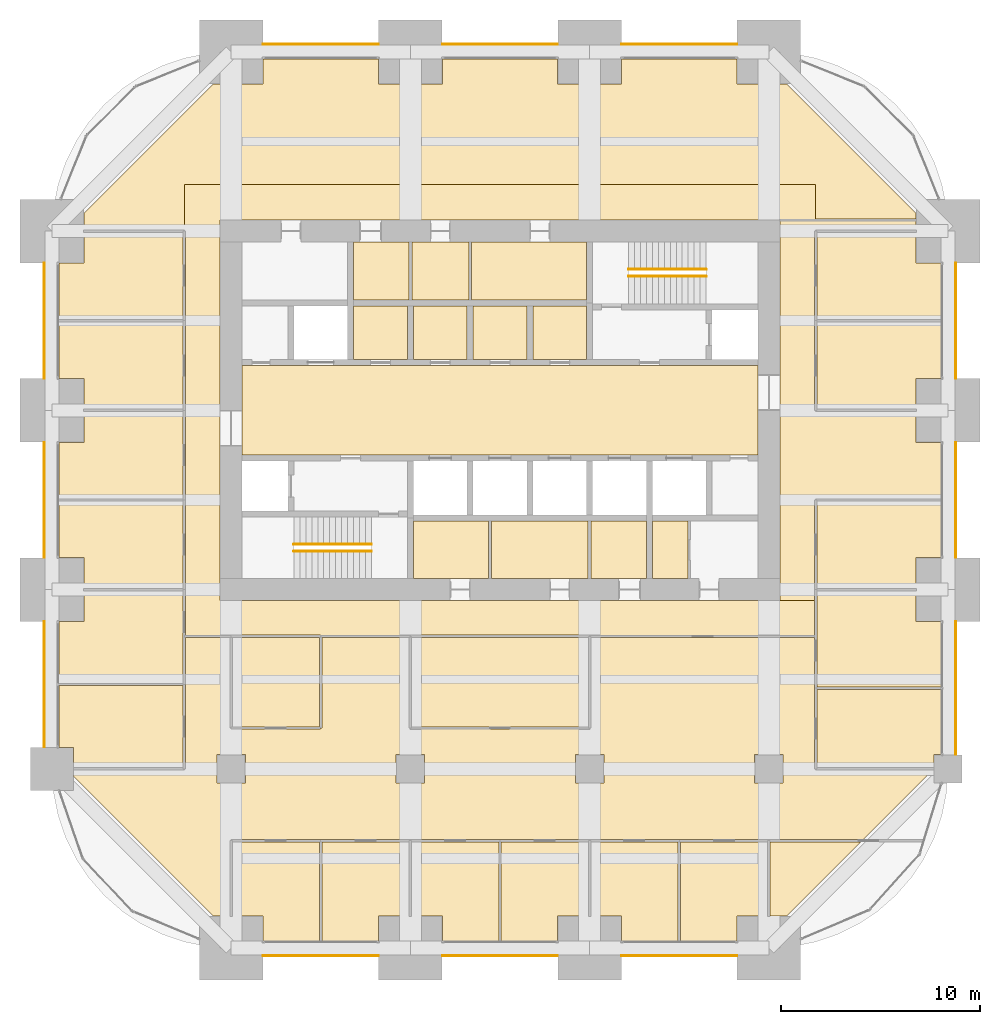
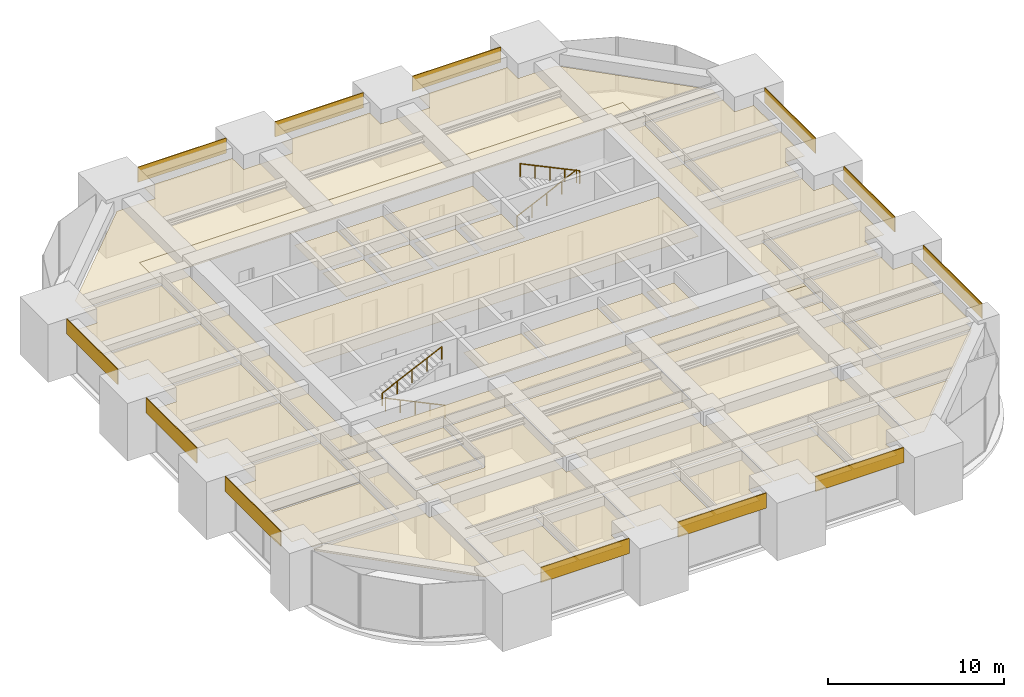
# One storey, part 43 of 43: 48 coverings, 4 railings.
"""IFC4 building model written with IfcOpenShell, lengths in metres."""

from ifc_helpers import new_model, si_unit, direction, frame, frame_2d, origin, origin_2d, place, context, subcontext, project, spatial, polyline, rectangle, circle, outline, extrude, material, layer, layer_set, type_object, element, save


model = new_model("IFC4")

# Units and contexts
model_context = context("Model", 3, precision=1e-05, world=origin(), true_north=direction((0.0, 1.0)))
body_context = subcontext(model_context, "Body", "Model", "MODEL_VIEW")
ifc_project = project(units=[si_unit("LENGTHUNIT", "METRE"), si_unit("AREAUNIT", "SQUARE_METRE"), si_unit("VOLUMEUNIT", "CUBIC_METRE"), si_unit("PLANEANGLEUNIT", "RADIAN"), si_unit("MASSUNIT", "GRAM", prefix="KILO")], contexts=[model_context])

# Site, building, storey
site_placement = place(None, origin())
site = spatial("IfcSite", under=ifc_project, at=site_placement, CompositionType="ELEMENT")
building_placement = place(site_placement, origin())
building = spatial("IfcBuilding", under=site, at=building_placement, Name="Zorevar Civic Tower", CompositionType="ELEMENT")
storey_placement = place(building_placement, frame((0.0, 0.0, 243.39990234375)))
storey = spatial("IfcBuildingStorey", under=building, at=storey_placement, Name="L59", CompositionType="ELEMENT", Elevation=243.39990234375)

# Railings
ifc_material_1 = material(Name="Black steel handrail", Category="steel")
railing_type = type_object("IfcRailingType", Name="Handrail HR1 900", PredefinedType="HANDRAIL", material=ifc_material_1)
railing_1_placement = place(storey_placement, frame((25.050048828125, 19.925048828125, 0.14306640625)))
element("IfcRailing", 1, at=railing_1_placement, inside=storey, type_object=railing_type, Name="Handrail HR1 ST1 L59", PredefinedType="HANDRAIL", context=body_context, shape_type="SweptSolid", body=[
    extrude(circle(Radius=0.02392578125, at=origin_2d()), frame((0.0, 0.0, 0.8759765625), z_axis=(-0.902885590262, 0.0, 0.429880926418), x_axis=(0.0, -1.0, 0.0)), (0.0, 0.0, 1.0), 4.319580078125),
    extrude(circle(Radius=0.02099609375, at=origin_2d()), origin(), (0.0, 0.0, 1.0), 0.851806640625),
    extrude(circle(Radius=0.02099609375, at=origin_2d()), frame((-0.97509765625, 0.0, 0.46435546875)), (0.0, 0.0, 1.0), 0.851806640625),
    extrude(circle(Radius=0.02099609375, at=origin_2d()), frame((-1.9501953125, 0.0, 0.928466796875)), (0.0, 0.0, 1.0), 0.851806640625),
    extrude(circle(Radius=0.02099609375, at=origin_2d()), frame((-2.925048828125, 0.0, 1.392578125)), (0.0, 0.0, 1.0), 0.851806640625),
    extrude(circle(Radius=0.02099609375, at=origin_2d()), frame((-3.900146484375, 0.0, 1.85693359375)), (0.0, 0.0, 1.0), 0.851806640625),
])
for number, where, name in (
    (2, (21.14990234375, 20.27490234375, 2.14306640625), "Handrail HR1 ST1 L59"),
    (3, (37.949951171875, 34.074951171875, 0.14306640625), "Handrail HR1 ST2 L59"),
):
    element("IfcRailing", number, at=place(storey_placement, frame(where)), inside=storey, type_object=railing_type, Name=name, PredefinedType="HANDRAIL", context=body_context, shape_type="SweptSolid", body=[
        extrude(circle(Radius=0.02392578125, at=origin_2d()), frame((0.0, 0.0, 0.8759765625), z_axis=(0.902885590262, 0.0, 0.429880926418), x_axis=(0.0, 1.0, 0.0)), (0.0, 0.0, 1.0), 4.319580078125),
        extrude(circle(Radius=0.02099609375, at=origin_2d()), origin(), (0.0, 0.0, 1.0), 0.851806640625),
        extrude(circle(Radius=0.02099609375, at=origin_2d()), frame((0.97509765625, 0.0, 0.46435546875)), (0.0, 0.0, 1.0), 0.851806640625),
        extrude(circle(Radius=0.02099609375, at=origin_2d()), frame((1.9501953125, 0.0, 0.928466796875)), (0.0, 0.0, 1.0), 0.851806640625),
        extrude(circle(Radius=0.02099609375, at=origin_2d()), frame((2.925048828125, 0.0, 1.392578125)), (0.0, 0.0, 1.0), 0.851806640625),
        extrude(circle(Radius=0.02099609375, at=origin_2d()), frame((3.900146484375, 0.0, 1.85693359375)), (0.0, 0.0, 1.0), 0.851806640625),
    ])
railing_2_placement = place(storey_placement, frame((41.85009765625, 33.72509765625, 2.14306640625)))
element("IfcRailing", 4, at=railing_2_placement, inside=storey, type_object=railing_type, Name="Handrail HR1 ST2 L59", PredefinedType="HANDRAIL", context=body_context, shape_type="SweptSolid", body=[
    extrude(circle(Radius=0.02392578125, at=origin_2d()), frame((0.0, 0.0, 0.8759765625), z_axis=(-0.902885590262, 0.0, 0.429880926418), x_axis=(0.0, -1.0, 0.0)), (0.0, 0.0, 1.0), 4.319580078125),
    extrude(circle(Radius=0.02099609375, at=origin_2d()), origin(), (0.0, 0.0, 1.0), 0.851806640625),
    extrude(circle(Radius=0.02099609375, at=origin_2d()), frame((-0.97509765625, 0.0, 0.46435546875)), (0.0, 0.0, 1.0), 0.851806640625),
    extrude(circle(Radius=0.02099609375, at=origin_2d()), frame((-1.9501953125, 0.0, 0.928466796875)), (0.0, 0.0, 1.0), 0.851806640625),
    extrude(circle(Radius=0.02099609375, at=origin_2d()), frame((-2.925048828125, 0.0, 1.392578125)), (0.0, 0.0, 1.0), 0.851806640625),
    extrude(circle(Radius=0.02099609375, at=origin_2d()), frame((-3.900146484375, 0.0, 1.85693359375)), (0.0, 0.0, 1.0), 0.851806640625),
])

# Coverings
ifc_material_2 = material(Name="Moisture-resistant gypsum board")
ifc_layer_1 = layer(ifc_material_2, 0.012451171875)
ifc_layer_set_1 = layer_set([ifc_layer_1], Name="Moisture-resistant ceiling SC3")
covering_type_1 = type_object("IfcCoveringType", Name="Moisture-resistant ceiling SC3", PredefinedType="CEILING", material=ifc_layer_set_1)
covering_1_placement = place(storey_placement, frame((0.0, 0.0, 3.0)))
element("IfcCovering", 5, at=covering_1_placement, inside=storey, type_object=covering_type_1, Name="Ceiling L59-05", PredefinedType="CEILING", context=body_context, shape_type="SweptSolid", body=[
    extrude(outline(polyline([(30.925048828125, 18.550048828125), (30.925048828125, 21.449951171875), (27.14990234375, 21.449951171875), (27.14990234375, 18.550048828125), (30.925048828125, 18.550048828125)])), origin(), (0.0, 0.0, 1.0), 0.0126953125),
])
covering_2_placement = place(storey_placement, frame((0.0, 0.0, 3.0)))
element("IfcCovering", 6, at=covering_2_placement, inside=storey, type_object=covering_type_1, Name="Ceiling L59-06", PredefinedType="CEILING", context=body_context, shape_type="SweptSolid", body=[
    extrude(outline(polyline([(35.925048828125, 18.550048828125), (35.925048828125, 21.449951171875), (31.074951171875, 21.449951171875), (31.074951171875, 18.550048828125), (35.925048828125, 18.550048828125)])), origin(), (0.0, 0.0, 1.0), 0.0126953125),
])
covering_3_placement = place(storey_placement, frame((0.0, 0.0, 3.0)))
element("IfcCovering", 7, at=covering_3_placement, inside=storey, type_object=covering_type_1, Name="Ceiling L59-07", PredefinedType="CEILING", context=body_context, shape_type="SweptSolid", body=[
    extrude(outline(polyline([(38.85009765625, 18.550048828125), (38.85009765625, 21.449951171875), (36.074951171875, 21.449951171875), (36.074951171875, 18.550048828125), (38.85009765625, 18.550048828125)])), origin(), (0.0, 0.0, 1.0), 0.0126953125),
])
covering_4_placement = place(storey_placement, frame((0.0, 0.0, 3.0)))
element("IfcCovering", 8, at=covering_4_placement, inside=storey, type_object=covering_type_1, Name="Ceiling L59-10", PredefinedType="CEILING", context=body_context, shape_type="SweptSolid", body=[
    extrude(outline(polyline([(26.925048828125, 32.550048828125), (26.925048828125, 35.449951171875), (24.14990234375, 35.449951171875), (24.14990234375, 32.550048828125), (26.925048828125, 32.550048828125)])), origin(), (0.0, 0.0, 1.0), 0.0126953125),
])
ifc_material_3 = material(Name="Black anodised aluminium spandrel panel", Category="aluminium")
ifc_layer_2 = layer(ifc_material_3, 0.050048828125)
ifc_layer_set_2 = layer_set([ifc_layer_2], Name="Spandrel cladding SP1")
covering_type_2 = type_object("IfcCoveringType", Name="Spandrel cladding SP1", PredefinedType="CLADDING", material=ifc_layer_set_2)
for number, where, z_axis, x_axis, name in (
    (9, (19.60009765625, -0.375, 2.9501953125), (0.0, 0.0, 1.0), (1.0, 0.0, 0.0), "Spandrel cladding L60"),
    (10, (28.60009765625, -0.375, 2.9501953125), (0.0, 0.0, 1.0), (1.0, 0.0, 0.0), "Spandrel cladding L60"),
    (11, (37.60009765625, -0.375, 2.9501953125), (0.0, 0.0, 1.0), (1.0, 0.0, 0.0), "Spandrel cladding L60"),
    (12, (19.60009765625, 45.375, 2.9501953125), (0.0, 0.0, 1.0), (1.0, 0.0, 0.0), "Spandrel cladding L60"),
    (13, (28.60009765625, 45.375, 2.9501953125), (0.0, 0.0, 1.0), (1.0, 0.0, 0.0), "Spandrel cladding L60"),
    (14, (37.60009765625, 45.375, 2.9501953125), (0.0, 0.0, 1.0), (1.0, 0.0, 0.0), "Spandrel cladding L60"),
):
    element("IfcCovering", number, at=place(storey_placement, frame(where, z_axis=z_axis, x_axis=x_axis)), inside=storey, type_object=covering_type_2, Name=name, PredefinedType="CLADDING", context=body_context, shape_type="SweptSolid", body=[
        extrude(rectangle(XDim=5.7998046875, YDim=0.050048828125, at=frame_2d((2.89990234375, 0.0))), origin(), (0.0, 0.0, 1.0), 1.0498046875),
    ])
covering_5_placement = place(storey_placement, frame((8.625, 10.074951171875, 2.9501953125), z_axis=(0.0, 0.0, 1.0), x_axis=(0.0, 1.0, 0.0)))
element("IfcCovering", 15, at=covering_5_placement, inside=storey, type_object=covering_type_2, Name="Spandrel cladding L60", PredefinedType="CLADDING", context=body_context, shape_type="SweptSolid", body=[
    extrude(rectangle(XDim=6.324951171875, YDim=0.050048828125, at=frame_2d((3.16259765625, 0.0))), origin(), (0.0, 0.0, 1.0), 1.0498046875),
])
for number, where, z_axis, x_axis, name in (
    (16, (8.625, 19.60009765625, 2.9501953125), (0.0, 0.0, 1.0), (0.0, 1.0, 0.0), "Spandrel cladding L60"),
    (17, (8.625, 28.60009765625, 2.9501953125), (0.0, 0.0, 1.0), (0.0, 1.0, 0.0), "Spandrel cladding L60"),
):
    element("IfcCovering", number, at=place(storey_placement, frame(where, z_axis=z_axis, x_axis=x_axis)), inside=storey, type_object=covering_type_2, Name=name, PredefinedType="CLADDING", context=body_context, shape_type="SweptSolid", body=[
        extrude(rectangle(XDim=5.7998046875, YDim=0.050048828125, at=frame_2d((2.89990234375, 0.0))), origin(), (0.0, 0.0, 1.0), 1.0498046875),
    ])
covering_6_placement = place(storey_placement, frame((54.375, 9.699951171875, 2.9501953125), z_axis=(0.0, 0.0, 1.0), x_axis=(0.0, 1.0, 0.0)))
element("IfcCovering", 18, at=covering_6_placement, inside=storey, type_object=covering_type_2, Name="Spandrel cladding L60", PredefinedType="CLADDING", context=body_context, shape_type="SweptSolid", body=[
    extrude(rectangle(XDim=6.699951171875, YDim=0.050048828125, at=frame_2d((3.35009765625, 0.0))), origin(), (0.0, 0.0, 1.0), 1.0498046875),
])
for number, where, z_axis, x_axis, name in (
    (19, (54.375, 19.60009765625, 2.9501953125), (0.0, 0.0, 1.0), (0.0, 1.0, 0.0), "Spandrel cladding L60"),
    (20, (54.375, 28.60009765625, 2.9501953125), (0.0, 0.0, 1.0), (0.0, 1.0, 0.0), "Spandrel cladding L60"),
):
    element("IfcCovering", number, at=place(storey_placement, frame(where, z_axis=z_axis, x_axis=x_axis)), inside=storey, type_object=covering_type_2, Name=name, PredefinedType="CLADDING", context=body_context, shape_type="SweptSolid", body=[
        extrude(rectangle(XDim=5.7998046875, YDim=0.050048828125, at=frame_2d((2.89990234375, 0.0))), origin(), (0.0, 0.0, 1.0), 1.0498046875),
    ])
ifc_material_4 = material(Name="Mineral fibre tiles on a concealed grid")
ifc_layer_3 = layer(ifc_material_4, 0.02001953125)
ifc_layer_set_3 = layer_set([ifc_layer_3], Name="Suspended ceiling SC1")
covering_type_3 = type_object("IfcCoveringType", Name="Suspended ceiling SC1", PredefinedType="CEILING", material=ifc_layer_set_3)
covering_7_placement = place(storey_placement, frame((0.0, 0.0, 3.0)))
element("IfcCovering", 21, at=covering_7_placement, inside=storey, type_object=covering_type_3, Name="Ceiling L59-08", PredefinedType="CEILING", context=body_context, shape_type="SweptSolid", body=[
    extrude(outline(polyline([(35.85009765625, 32.550048828125), (35.85009765625, 35.449951171875), (30.06005859375, 35.449951171875), (30.06005859375, 32.550048828125), (35.85009765625, 32.550048828125)])), origin(), (0.0, 0.0, 1.0), 0.02001953125),
])
covering_8_placement = place(storey_placement, frame((0.0, 0.0, 3.0)))
element("IfcCovering", 22, at=covering_8_placement, inside=storey, type_object=covering_type_3, Name="Ceiling L59-09", PredefinedType="CEILING", context=body_context, shape_type="SweptSolid", body=[
    extrude(outline(polyline([(29.93994140625, 32.550048828125), (29.93994140625, 35.449951171875), (27.074951171875, 35.449951171875), (27.074951171875, 32.550048828125), (29.93994140625, 32.550048828125)])), origin(), (0.0, 0.0, 1.0), 0.02001953125),
])
covering_9_placement = place(storey_placement, frame((0.0, 0.0, 3.0)))
element("IfcCovering", 23, at=covering_9_placement, inside=storey, type_object=covering_type_3, Name="Ceiling L59-11", PredefinedType="CEILING", context=body_context, shape_type="SweptSolid", body=[
    extrude(outline(polyline([(40.93994140625, 18.550048828125), (40.93994140625, 21.449951171875), (39.14990234375, 21.449951171875), (39.14990234375, 18.550048828125), (40.93994140625, 18.550048828125)])), origin(), (0.0, 0.0, 1.0), 0.02001953125),
])
covering_10_placement = place(storey_placement, frame((0.0, 0.0, 3.0)))
element("IfcCovering", 24, at=covering_10_placement, inside=storey, type_object=covering_type_3, Name="Ceiling L59-16", PredefinedType="CEILING", context=body_context, shape_type="SweptSolid", body=[
    extrude(outline(polyline([(44.449951171875, 24.75), (44.449951171875, 29.25), (18.550048828125, 29.25), (18.550048828125, 24.75), (44.449951171875, 24.75)])), origin(), (0.0, 0.0, 1.0), 0.02001953125),
])
covering_11_placement = place(storey_placement, frame((0.0, 0.0, 3.0)))
element("IfcCovering", 25, at=covering_11_placement, inside=storey, type_object=covering_type_3, Name="Ceiling L59-17", PredefinedType="CEILING", context=body_context, shape_type="SweptSolid", body=[
    extrude(outline(polyline([(35.85009765625, 29.550048828125), (35.85009765625, 32.25), (33.14990234375, 32.25), (33.14990234375, 29.550048828125), (35.85009765625, 29.550048828125)])), origin(), (0.0, 0.0, 1.0), 0.02001953125),
])
covering_12_placement = place(storey_placement, frame((0.0, 0.0, 3.0)))
element("IfcCovering", 26, at=covering_12_placement, inside=storey, type_object=covering_type_3, Name="Ceiling L59-18", PredefinedType="CEILING", context=body_context, shape_type="SweptSolid", body=[
    extrude(outline(polyline([(32.85009765625, 29.550048828125), (32.85009765625, 32.25), (30.14990234375, 32.25), (30.14990234375, 29.550048828125), (32.85009765625, 29.550048828125)])), origin(), (0.0, 0.0, 1.0), 0.02001953125),
])
covering_13_placement = place(storey_placement, frame((0.0, 0.0, 3.0)))
element("IfcCovering", 27, at=covering_13_placement, inside=storey, type_object=covering_type_3, Name="Ceiling L59-19", PredefinedType="CEILING", context=body_context, shape_type="SweptSolid", body=[
    extrude(outline(polyline([(29.85009765625, 29.550048828125), (29.85009765625, 32.25), (27.14990234375, 32.25), (27.14990234375, 29.550048828125), (29.85009765625, 29.550048828125)])), origin(), (0.0, 0.0, 1.0), 0.02001953125),
])
covering_14_placement = place(storey_placement, frame((0.0, 0.0, 3.0)))
element("IfcCovering", 28, at=covering_14_placement, inside=storey, type_object=covering_type_3, Name="Ceiling L59-20", PredefinedType="CEILING", context=body_context, shape_type="SweptSolid", body=[
    extrude(outline(polyline([(26.85009765625, 29.550048828125), (26.85009765625, 32.25), (24.14990234375, 32.25), (24.14990234375, 29.550048828125), (26.85009765625, 29.550048828125)])), origin(), (0.0, 0.0, 1.0), 0.02001953125),
])
covering_15_placement = place(storey_placement, frame((0.0, 0.0, 3.0)))
element("IfcCovering", 29, at=covering_15_placement, inside=storey, type_object=covering_type_3, Name="Ceiling L59-21", PredefinedType="CEILING", context=body_context, shape_type="SweptSolid", body=[
    extrude(outline(polyline([(22.43994140625, 5.340087890625), (22.43994140625, 0.35009765625), (19.610107421875, 0.35009765625), (19.610107421875, 1.610107421875), (18.06005859375, 1.610107421875), (18.06005859375, 5.340087890625), (22.43994140625, 5.340087890625)])), origin(), (0.0, 0.0, 1.0), 0.02001953125),
])
covering_16_placement = place(storey_placement, frame((0.0, 0.0, 3.0)))
element("IfcCovering", 30, at=covering_16_placement, inside=storey, type_object=covering_type_3, Name="Ceiling L59-22", PredefinedType="CEILING", context=body_context, shape_type="SweptSolid", body=[
    extrude(outline(polyline([(26.93994140625, 5.340087890625), (26.93994140625, 1.610107421875), (25.389892578125, 1.610107421875), (25.389892578125, 0.35009765625), (22.56005859375, 0.35009765625), (22.56005859375, 5.340087890625), (26.93994140625, 5.340087890625)])), origin(), (0.0, 0.0, 1.0), 0.02001953125),
])
covering_17_placement = place(storey_placement, frame((0.0, 0.0, 3.0)))
element("IfcCovering", 31, at=covering_17_placement, inside=storey, type_object=covering_type_3, Name="Ceiling L59-23", PredefinedType="CEILING", context=body_context, shape_type="SweptSolid", body=[
    extrude(outline(polyline([(31.43994140625, 5.340087890625), (31.43994140625, 0.35009765625), (28.610107421875, 0.35009765625), (28.610107421875, 1.610107421875), (27.06005859375, 1.610107421875), (27.06005859375, 5.340087890625), (31.43994140625, 5.340087890625)])), origin(), (0.0, 0.0, 1.0), 0.02001953125),
])
covering_18_placement = place(storey_placement, frame((0.0, 0.0, 3.0)))
element("IfcCovering", 32, at=covering_18_placement, inside=storey, type_object=covering_type_3, Name="Ceiling L59-24", PredefinedType="CEILING", context=body_context, shape_type="SweptSolid", body=[
    extrude(outline(polyline([(35.93994140625, 5.340087890625), (35.93994140625, 1.610107421875), (34.389892578125, 1.610107421875), (34.389892578125, 0.35009765625), (31.56005859375, 0.35009765625), (31.56005859375, 5.340087890625), (35.93994140625, 5.340087890625)])), origin(), (0.0, 0.0, 1.0), 0.02001953125),
])
covering_19_placement = place(storey_placement, frame((0.0, 0.0, 3.0)))
element("IfcCovering", 33, at=covering_19_placement, inside=storey, type_object=covering_type_3, Name="Ceiling L59-25", PredefinedType="CEILING", context=body_context, shape_type="SweptSolid", body=[
    extrude(outline(polyline([(40.43994140625, 5.340087890625), (40.43994140625, 0.35009765625), (37.610107421875, 0.35009765625), (37.610107421875, 1.610107421875), (36.06005859375, 1.610107421875), (36.06005859375, 5.340087890625), (40.43994140625, 5.340087890625)])), origin(), (0.0, 0.0, 1.0), 0.02001953125),
])
covering_20_placement = place(storey_placement, frame((0.0, 0.0, 3.0)))
element("IfcCovering", 34, at=covering_20_placement, inside=storey, type_object=covering_type_3, Name="Ceiling L59-26", PredefinedType="CEILING", context=body_context, shape_type="SweptSolid", body=[
    extrude(outline(polyline([(44.93994140625, 5.340087890625), (44.93994140625, 1.610107421875), (43.389892578125, 1.610107421875), (43.389892578125, 0.35009765625), (40.56005859375, 0.35009765625), (40.56005859375, 5.340087890625), (44.93994140625, 5.340087890625)])), origin(), (0.0, 0.0, 1.0), 0.02001953125),
])
covering_21_placement = place(storey_placement, frame((0.0, 0.0, 3.0)))
element("IfcCovering", 35, at=covering_21_placement, inside=storey, type_object=covering_type_3, Name="Ceiling L59-27", PredefinedType="CEILING", context=body_context, shape_type="SweptSolid", body=[
    extrude(outline(polyline([(15.590087890625, 9.06005859375), (10.0849609375, 9.06005859375), (10.0849609375, 10.0849609375), (9.35009765625, 10.0849609375), (9.35009765625, 13.177490234375), (15.590087890625, 13.177490234375), (15.590087890625, 9.06005859375)])), origin(), (0.0, 0.0, 1.0), 0.02001953125),
])
covering_22_placement = place(storey_placement, frame((0.0, 0.0, 3.0)))
element("IfcCovering", 36, at=covering_22_placement, inside=storey, type_object=covering_type_3, Name="Ceiling L59-28", PredefinedType="CEILING", context=body_context, shape_type="SweptSolid", body=[
    extrude(outline(polyline([(15.590087890625, 13.297607421875), (9.35009765625, 13.297607421875), (9.35009765625, 16.389892578125), (10.610107421875, 16.389892578125), (10.610107421875, 17.93994140625), (15.590087890625, 17.93994140625), (15.590087890625, 13.297607421875)])), origin(), (0.0, 0.0, 1.0), 0.02001953125),
])
covering_23_placement = place(storey_placement, frame((0.0, 0.0, 3.0)))
element("IfcCovering", 37, at=covering_23_placement, inside=storey, type_object=covering_type_3, Name="Ceiling L59-29", PredefinedType="CEILING", context=body_context, shape_type="SweptSolid", body=[
    extrude(outline(polyline([(15.590087890625, 18.06005859375), (10.610107421875, 18.06005859375), (10.610107421875, 19.610107421875), (9.35009765625, 19.610107421875), (9.35009765625, 22.43994140625), (15.590087890625, 22.43994140625), (15.590087890625, 18.06005859375)])), origin(), (0.0, 0.0, 1.0), 0.02001953125),
])
covering_24_placement = place(storey_placement, frame((0.0, 0.0, 3.0)))
element("IfcCovering", 38, at=covering_24_placement, inside=storey, type_object=covering_type_3, Name="Ceiling L59-30", PredefinedType="CEILING", context=body_context, shape_type="SweptSolid", body=[
    extrude(outline(polyline([(15.590087890625, 22.56005859375), (9.35009765625, 22.56005859375), (9.35009765625, 25.389892578125), (10.610107421875, 25.389892578125), (10.610107421875, 26.93994140625), (15.590087890625, 26.93994140625), (15.590087890625, 22.56005859375)])), origin(), (0.0, 0.0, 1.0), 0.02001953125),
])
covering_25_placement = place(storey_placement, frame((0.0, 0.0, 3.0)))
element("IfcCovering", 39, at=covering_25_placement, inside=storey, type_object=covering_type_3, Name="Ceiling L59-31", PredefinedType="CEILING", context=body_context, shape_type="SweptSolid", body=[
    extrude(outline(polyline([(15.590087890625, 27.06005859375), (10.610107421875, 27.06005859375), (10.610107421875, 28.610107421875), (9.35009765625, 28.610107421875), (9.35009765625, 31.43994140625), (15.590087890625, 31.43994140625), (15.590087890625, 27.06005859375)])), origin(), (0.0, 0.0, 1.0), 0.02001953125),
])
covering_26_placement = place(storey_placement, frame((0.0, 0.0, 3.0)))
element("IfcCovering", 40, at=covering_26_placement, inside=storey, type_object=covering_type_3, Name="Ceiling L59-32", PredefinedType="CEILING", context=body_context, shape_type="SweptSolid", body=[
    extrude(outline(polyline([(15.590087890625, 31.56005859375), (9.35009765625, 31.56005859375), (9.35009765625, 34.389892578125), (10.610107421875, 34.389892578125), (10.610107421875, 35.93994140625), (15.590087890625, 35.93994140625), (15.590087890625, 31.56005859375)])), origin(), (0.0, 0.0, 1.0), 0.02001953125),
])
covering_27_placement = place(storey_placement, frame((0.0, 0.0, 3.0)))
element("IfcCovering", 41, at=covering_27_placement, inside=storey, type_object=covering_type_3, Name="Ceiling L59-33", PredefinedType="CEILING", context=body_context, shape_type="SweptSolid", body=[
    extrude(outline(polyline([(47.409912109375, 12.989990234375), (53.64990234375, 12.989990234375), (53.64990234375, 9.7099609375), (53.2900390625, 9.7099609375), (53.2900390625, 9.06005859375), (47.409912109375, 9.06005859375), (47.409912109375, 12.989990234375)])), origin(), (0.0, 0.0, 1.0), 0.02001953125),
])
covering_28_placement = place(storey_placement, frame((0.0, 0.0, 3.0)))
element("IfcCovering", 42, at=covering_28_placement, inside=storey, type_object=covering_type_3, Name="Ceiling L59-34", PredefinedType="CEILING", context=body_context, shape_type="SweptSolid", body=[
    extrude(outline(polyline([(47.409912109375, 17.93994140625), (52.389892578125, 17.93994140625), (52.389892578125, 16.389892578125), (53.64990234375, 16.389892578125), (53.64990234375, 13.110107421875), (47.409912109375, 13.110107421875), (47.409912109375, 17.93994140625)])), origin(), (0.0, 0.0, 1.0), 0.02001953125),
])
covering_29_placement = place(storey_placement, frame((0.0, 0.0, 3.0)))
element("IfcCovering", 43, at=covering_29_placement, inside=storey, type_object=covering_type_3, Name="Ceiling L59-35", PredefinedType="CEILING", context=body_context, shape_type="SweptSolid", body=[
    extrude(outline(polyline([(47.409912109375, 22.43994140625), (53.64990234375, 22.43994140625), (53.64990234375, 19.610107421875), (52.389892578125, 19.610107421875), (52.389892578125, 18.06005859375), (47.409912109375, 18.06005859375), (47.409912109375, 22.43994140625)])), origin(), (0.0, 0.0, 1.0), 0.02001953125),
])
covering_30_placement = place(storey_placement, frame((0.0, 0.0, 3.0)))
element("IfcCovering", 44, at=covering_30_placement, inside=storey, type_object=covering_type_3, Name="Ceiling L59-36", PredefinedType="CEILING", context=body_context, shape_type="SweptSolid", body=[
    extrude(outline(polyline([(47.409912109375, 31.43994140625), (53.64990234375, 31.43994140625), (53.64990234375, 28.610107421875), (52.389892578125, 28.610107421875), (52.389892578125, 27.06005859375), (47.409912109375, 27.06005859375), (47.409912109375, 31.43994140625)])), origin(), (0.0, 0.0, 1.0), 0.02001953125),
])
covering_31_placement = place(storey_placement, frame((0.0, 0.0, 3.0)))
element("IfcCovering", 45, at=covering_31_placement, inside=storey, type_object=covering_type_3, Name="Ceiling L59-37", PredefinedType="CEILING", context=body_context, shape_type="SweptSolid", body=[
    extrude(outline(polyline([(47.409912109375, 35.93994140625), (52.389892578125, 35.93994140625), (52.389892578125, 34.389892578125), (53.64990234375, 34.389892578125), (53.64990234375, 31.56005859375), (47.409912109375, 31.56005859375), (47.409912109375, 35.93994140625)])), origin(), (0.0, 0.0, 1.0), 0.02001953125),
])
covering_32_placement = place(storey_placement, frame((0.0, 0.0, 3.0)))
element("IfcCovering", 46, at=covering_32_placement, inside=storey, type_object=covering_type_3, Name="Ceiling L59-38", PredefinedType="CEILING", context=body_context, shape_type="SweptSolid", body=[
    extrude(outline(polyline([(22.43994140625, 15.590087890625), (22.43994140625, 11.110107421875), (18.06005859375, 11.110107421875), (18.06005859375, 15.590087890625), (22.43994140625, 15.590087890625)])), origin(), (0.0, 0.0, 1.0), 0.02001953125),
])
covering_33_placement = place(storey_placement, frame((0.0, 0.0, 3.0)))
element("IfcCovering", 47, at=covering_33_placement, inside=storey, type_object=covering_type_3, Name="Ceiling L59-39", PredefinedType="CEILING", context=body_context, shape_type="SweptSolid", body=[
    extrude(outline(polyline([(35.93994140625, 11.10009765625), (27.06005859375, 11.10009765625), (27.06005859375, 15.590087890625), (35.93994140625, 15.590087890625), (35.93994140625, 11.10009765625)])), origin(), (0.0, 0.0, 1.0), 0.02001953125),
])
covering_34_placement = place(storey_placement, frame((0.0, 0.0, 3.0)))
element("IfcCovering", 48, at=covering_34_placement, inside=storey, type_object=covering_type_3, Name="Ceiling L59-40", PredefinedType="CEILING", context=body_context, shape_type="SweptSolid", body=[
    extrude(outline(polyline([(45.06005859375, 1.610107421875), (45.06005859375, 5.340087890625), (49.6328125, 5.340087890625), (45.90283203125, 1.610107421875), (45.06005859375, 1.610107421875)])), origin(), (0.0, 0.0, 1.0), 0.02001953125),
])
covering_35_placement = place(storey_placement, frame((0.0, 0.0, 3.0)))
element("IfcCovering", 49, at=covering_35_placement, inside=storey, type_object=covering_type_3, Name="Ceiling L59-41", PredefinedType="CEILING", context=body_context, shape_type="SweptSolid", body=[
    extrude(outline(polyline([(47.35009765625, 36.550048828125), (17.449951171875, 36.550048828125), (17.449951171875, 17.449951171875), (47.2900390625, 17.449951171875), (47.2900390625, 15.699951171875), (36.010009765625, 15.699951171875), (36.010009765625, 15.64990234375), (36.0, 15.64990234375), (36.0, 15.7099609375), (27.0, 15.7099609375), (27.0, 15.64990234375), (26.989990234375, 15.64990234375), (26.989990234375, 15.699951171875), (22.510009765625, 15.699951171875), (22.510009765625, 15.64990234375), (22.5, 15.64990234375), (22.5, 15.7099609375), (18.0, 15.7099609375), (18.0, 15.64990234375), (17.989990234375, 15.64990234375), (17.989990234375, 15.699951171875), (15.7099609375, 15.699951171875), (15.7099609375, 36.0), (15.64990234375, 36.0), (15.64990234375, 38.35009765625), (47.35009765625, 38.35009765625), (47.35009765625, 36.550048828125)])), origin(), (0.0, 0.0, 1.0), 0.02001953125),
])
covering_36_placement = place(storey_placement, frame((0.0, 0.0, 3.0)))
element("IfcCovering", 50, at=covering_36_placement, inside=storey, type_object=covering_type_3, Name="Ceiling L59-42", PredefinedType="CEILING", context=body_context, shape_type="SweptSolid", body=[
    extrude(outline(polyline([(47.2900390625, 36.0), (47.2900390625, 27.0), (47.35009765625, 27.0), (47.35009765625, 26.93994140625), (52.389892578125, 26.93994140625), (52.389892578125, 25.389892578125), (53.64990234375, 25.389892578125), (53.64990234375, 22.56005859375), (47.35009765625, 22.56005859375), (47.35009765625, 22.5), (47.2900390625, 22.5), (47.2900390625, 17.449951171875), (45.550048828125, 17.449951171875), (45.550048828125, 36.550048828125), (47.35009765625, 36.550048828125), (47.35009765625, 36.5), (52.389892578125, 36.5), (52.389892578125, 36.06005859375), (47.35009765625, 36.06005859375), (47.35009765625, 36.0), (47.2900390625, 36.0)])), origin(), (0.0, 0.0, 1.0), 0.02001953125),
])
covering_37_placement = place(storey_placement, frame((0.0, 0.0, 3.0)))
element("IfcCovering", 51, at=covering_37_placement, inside=storey, type_object=covering_type_3, Name="Ceiling L59-43", PredefinedType="CEILING", context=body_context, shape_type="SweptSolid", body=[
    extrude(outline(polyline([(25.389892578125, 44.64892578125), (25.389892578125, 43.389892578125), (28.610107421875, 43.389892578125), (28.610107421875, 44.64892578125), (34.389892578125, 44.64892578125), (34.389892578125, 43.389892578125), (37.610107421875, 43.389892578125), (37.610107421875, 44.64892578125), (43.389892578125, 44.64892578125), (43.389892578125, 43.389892578125), (45.90283203125, 43.389892578125), (52.389892578125, 36.90283203125), (52.389892578125, 36.60107421875), (47.35107421875, 36.60107421875), (47.35009765625, 38.35107421875), (15.64990234375, 38.35107421875), (15.64990234375, 36.06005859375), (10.610107421875, 36.06005859375), (10.610107421875, 36.90283203125), (17.09716796875, 43.389892578125), (19.610107421875, 43.389892578125), (19.610107421875, 44.64892578125), (25.389892578125, 44.64892578125)])), origin(), (0.0, 0.0, 1.0), 0.02001953125),
])
covering_38_placement = place(storey_placement, frame((0.0, 0.0, 3.0)))
element("IfcCovering", 52, at=covering_38_placement, inside=storey, type_object=covering_type_3, Name="Ceiling L59-44", PredefinedType="CEILING", context=body_context, shape_type="SweptSolid", body=[
    extrude(outline(polyline([(15.7099609375, 15.60009765625), (17.93994140625, 15.60009765625), (17.93994140625, 11.050048828125), (18.0, 11.050048828125), (18.0, 10.989990234375), (22.5, 10.989990234375), (22.5, 11.050048828125), (22.56005859375, 11.050048828125), (22.56005859375, 15.60009765625), (26.93994140625, 15.60009765625), (26.93994140625, 11.050048828125), (27.0, 11.050048828125), (27.0, 11.0), (36.0, 11.0), (36.0, 11.050048828125), (36.06005859375, 11.050048828125), (36.06005859375, 15.60009765625), (47.2900390625, 15.60009765625), (47.2900390625, 9.0), (47.35009765625, 9.0), (47.35009765625, 8.93994140625), (53.23291015625, 8.93994140625), (49.7529296875, 5.4599609375), (18.0, 5.4599609375), (18.0, 5.39990234375), (17.93994140625, 5.39990234375), (17.93994140625, 1.610107421875), (17.09716796875, 1.610107421875), (10.0849609375, 8.6220703125), (10.0849609375, 8.93994140625), (15.64990234375, 8.93994140625), (15.64990234375, 9.0), (15.7099609375, 9.0), (15.7099609375, 15.60009765625)]), holes=[polyline([(17.2900390625, 8.2900390625), (18.7099609375, 8.2900390625), (18.7099609375, 9.7099609375), (17.2900390625, 9.7099609375), (17.2900390625, 8.2900390625)]), polyline([(26.2900390625, 9.7099609375), (26.2900390625, 8.2900390625), (27.7099609375, 8.2900390625), (27.7099609375, 9.7099609375), (26.2900390625, 9.7099609375)]), polyline([(36.7099609375, 9.7099609375), (35.2900390625, 9.7099609375), (35.2900390625, 8.2900390625), (36.7099609375, 8.2900390625), (36.7099609375, 9.7099609375)]), polyline([(45.7099609375, 8.2900390625), (45.7099609375, 9.7099609375), (44.2900390625, 9.7099609375), (44.2900390625, 8.2900390625), (45.7099609375, 8.2900390625)])]), origin(), (0.0, 0.0, 1.0), 0.02001953125),
])

save(model, "model.ifc")
